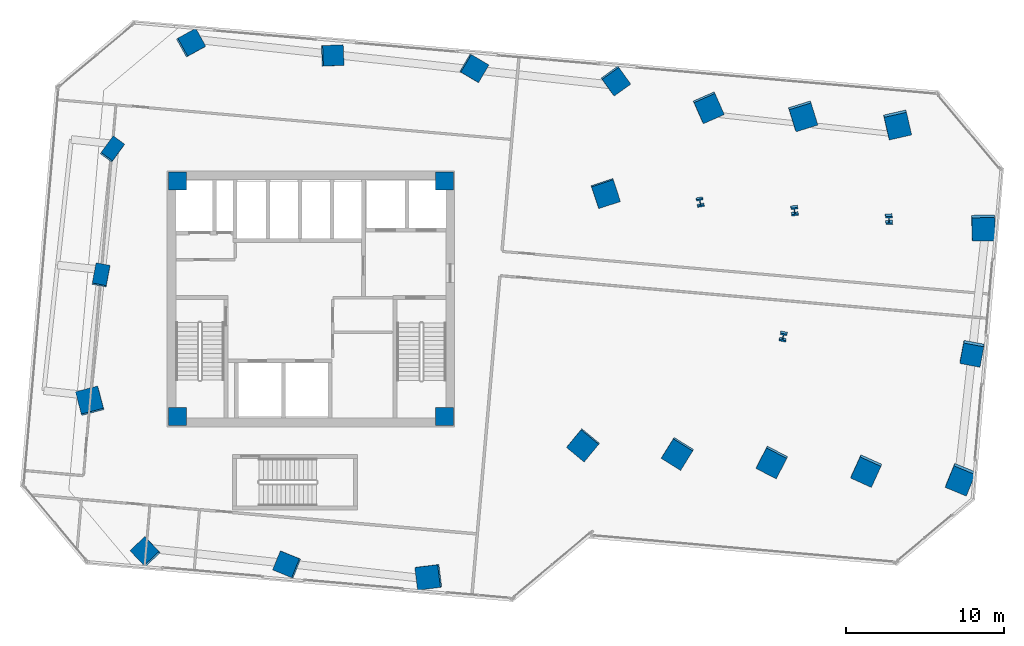
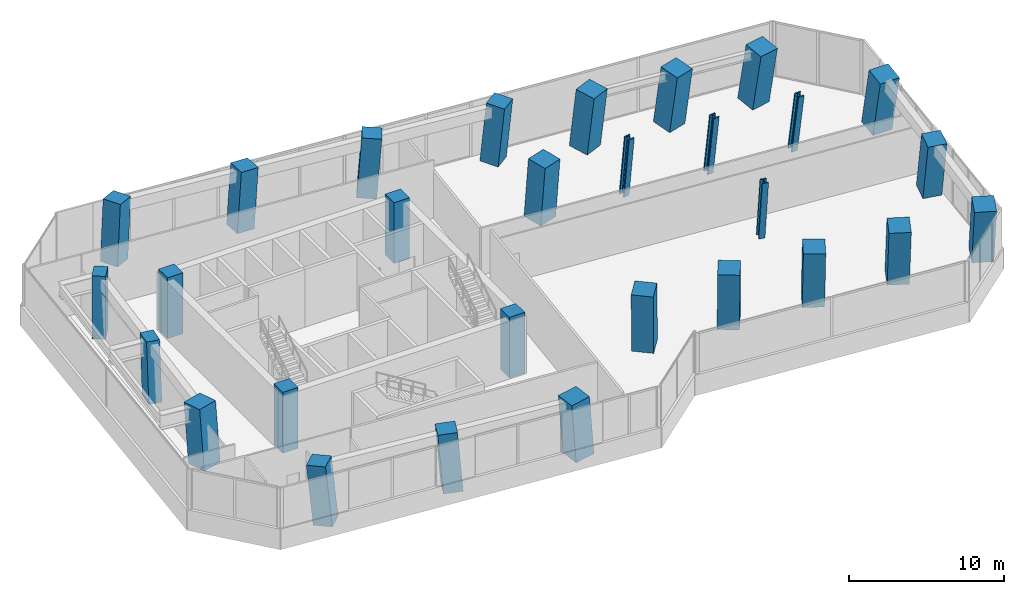
# One storey, part 1 of 24: 29 columns.
"""IFC4 building model written with IfcOpenShell, lengths in metres."""

from ifc_helpers import new_model, si_unit, direction, frame, origin, origin_2d, place, context, subcontext, project, spatial, rectangle, i_section, extrude, clip, halfspace, source, transform, mapped, material, material_profile, profile_set, type_object, element, save


model = new_model("IFC4")

# Units and contexts
model_context = context("Model", 3, precision=1e-05, world=origin(), true_north=direction((0.0, 1.0)))
body_context = subcontext(model_context, "Body", "Model", "MODEL_VIEW")
ifc_project = project(units=[si_unit("LENGTHUNIT", "METRE"), si_unit("AREAUNIT", "SQUARE_METRE"), si_unit("VOLUMEUNIT", "CUBIC_METRE"), si_unit("PLANEANGLEUNIT", "RADIAN"), si_unit("MASSUNIT", "GRAM", prefix="KILO")], contexts=[model_context])

# Site, building, storey
site_placement = place(None, origin())
site = spatial("IfcSite", under=ifc_project, at=site_placement, CompositionType="ELEMENT")
building_placement = place(site_placement, origin())
building = spatial("IfcBuilding", under=site, at=building_placement, Name="Torre Montelarca", CompositionType="ELEMENT")
storey_placement = place(building_placement, frame((0.0, 0.0, 52.0)))
storey = spatial("IfcBuildingStorey", under=building, at=storey_placement, Name="L11", CompositionType="ELEMENT", Elevation=52.0)

# Columns
ifc_material_1 = material(Name="Concrete C55/67", Category="concrete")
ifc_material_profile_1 = material_profile(ifc_material_1, rectangle(XDim=0.89990234375, YDim=1.300048828125, at=origin_2d()), Name="RC1300X900", Category="concrete")
ifc_profile_set_1 = profile_set([ifc_material_profile_1], Name="Concrete C55/67")
column_type_1 = type_object("IfcColumnType", Name="COL-PIL1300-EXT", PredefinedType="PILASTER", material=ifc_profile_set_1)
column_1_placement = place(storey_placement, frame((4.714111328125, 33.468505859375, 0.0), z_axis=(0.007505597669, 0.076019533144, 0.997078079482), x_axis=(0.982835962213, -0.184361453929, 0.006657753778)))
element("IfcColumn", 1, at=column_1_placement, inside=storey, type_object=column_type_1, Name="L11 Column 1W/E", PredefinedType="PILASTER", context=body_context, shape_type="Clipping", body=[
    clip(clip(extrude(rectangle(XDim=0.89990234375, YDim=1.300048828125, at=origin_2d()), origin(), (0.0, 0.0, 1.0), 4.814208984375), halfspace(frame((0.0, 0.0, 0.05322265625), z_axis=(0.0, 0.0, -1.0), x_axis=(1.0, 0.0, 0.0)), False)), halfspace(frame((0.0, 0.0, 4.760986328125), z_axis=(0.0, 0.0, 1.0), x_axis=(1.0, 0.0, 0.0)), False)),
])
column_2_placement = place(storey_placement, frame((5.411376953125, 41.43798828125, 0.0), z_axis=(0.0435342962, 0.072422013119, 0.996423512905), x_axis=(0.809065713617, -0.587672045735, 0.007364625673)))
element("IfcColumn", 2, at=column_2_placement, inside=storey, type_object=column_type_1, Name="L11 Column 1W/F", PredefinedType="PILASTER", context=body_context, shape_type="Clipping", body=[
    clip(clip(extrude(rectangle(XDim=0.89990234375, YDim=1.300048828125, at=origin_2d()), origin(), (0.0, 0.0, 1.0), 4.8173828125), halfspace(frame((0.0, 0.0, 0.05908203125), z_axis=(0.0, 0.0, -1.0), x_axis=(1.0, 0.0, 0.0)), False)), halfspace(frame((0.0, 0.0, 4.75830078125), z_axis=(0.0, 0.0, 1.0), x_axis=(1.0, 0.0, 0.0)), False)),
])
ifc_material_2 = material(Name="Concrete C70/85", Category="concrete")
ifc_material_profile_2 = material_profile(ifc_material_2, rectangle(XDim=1.300048828125, YDim=1.300048828125, at=origin_2d()), Name="RC1300X1300", Category="concrete")
ifc_profile_set_2 = profile_set([ifc_material_profile_2], Name="Concrete C70/85")
column_type_2 = type_object("IfcColumnType", Name="COL-RC1300-EXT", PredefinedType="COLUMN", material=ifc_profile_set_2)
column_3_placement = place(storey_placement, frame((7.548583984375, 15.954833984375, 0.0), z_axis=(-0.071889152053, 0.063940844396, 0.995360998952), x_axis=(0.726884650538, 0.686708374373, 0.008385307305)))
element("IfcColumn", 3, at=column_3_placement, inside=storey, type_object=column_type_2, Name="L11 Column 2/CS", PredefinedType="COLUMN", context=body_context, shape_type="Clipping", body=[
    clip(clip(extrude(rectangle(XDim=1.300048828125, YDim=1.300048828125, at=origin_2d()), origin(), (0.0, 0.0, 1.0), 4.822509765625), halfspace(frame((0.0, 0.0, 0.06884765625), z_axis=(0.0, 0.0, -1.0), x_axis=(1.0, 0.0, 0.0)), False)), halfspace(frame((0.0, 0.0, 4.753662109375), z_axis=(0.0, 0.0, 1.0), x_axis=(1.0, 0.0, 0.0)), False)),
])
column_4_placement = place(storey_placement, frame((10.367919921875, 48.181884765625, 0.0), z_axis=(0.073812496788, 0.049596729139, 0.996038091529), x_axis=(0.483542762655, -0.875286424907, 0.007750552098)))
element("IfcColumn", 4, at=column_4_placement, inside=storey, type_object=column_type_2, Name="L11 Column 2/GN", PredefinedType="COLUMN", context=body_context, shape_type="Clipping", body=[
    clip(clip(extrude(rectangle(XDim=1.300048828125, YDim=1.300048828125, at=origin_2d()), origin(), (0.0, 0.0, 1.0), 4.819091796875), halfspace(frame((0.0, 0.0, 0.0634765625), z_axis=(0.0, 0.0, -1.0), x_axis=(1.0, 0.0, 0.0)), False)), halfspace(frame((0.0, 0.0, 4.755615234375), z_axis=(0.0, 0.0, 1.0), x_axis=(1.0, 0.0, 0.0)), False)),
])
column_5_placement = place(storey_placement, frame((16.51416015625, 15.17041015625, 0.0), z_axis=(-0.076000815922, 0.023423867215, 0.996832582947), x_axis=(0.376438806472, 0.926415555249, 0.006931376043)))
element("IfcColumn", 5, at=column_5_placement, inside=storey, type_object=column_type_2, Name="L11 Column 3/CS", PredefinedType="COLUMN", context=body_context, shape_type="Clipping", body=[
    clip(clip(extrude(rectangle(XDim=1.300048828125, YDim=1.300048828125, at=origin_2d()), origin(), (0.0, 0.0, 1.0), 4.815185546875), halfspace(frame((0.0, 0.0, 0.056884765625), z_axis=(0.0, 0.0, -1.0), x_axis=(1.0, 0.0, 0.0)), False)), halfspace(frame((0.0, 0.0, 4.75830078125), z_axis=(0.0, 0.0, 1.0), x_axis=(1.0, 0.0, 0.0)), False)),
])
column_6_placement = place(storey_placement, frame((19.333740234375, 47.3974609375, 0.0), z_axis=(0.06991362438, 0.009030932612, 0.99751216904), x_axis=(0.041398310106, -0.999123831761, 0.006143999325)))
element("IfcColumn", 6, at=column_6_placement, inside=storey, type_object=column_type_2, Name="L11 Column 3/GN", PredefinedType="COLUMN", context=body_context, shape_type="Clipping", body=[
    clip(clip(extrude(rectangle(XDim=1.300048828125, YDim=1.300048828125, at=origin_2d()), origin(), (0.0, 0.0, 1.0), 4.81201171875), halfspace(frame((0.0, 0.0, 0.050537109375), z_axis=(0.0, 0.0, -1.0), x_axis=(1.0, 0.0, 0.0)), False)), halfspace(frame((0.0, 0.0, 4.761474609375), z_axis=(0.0, 0.0, 1.0), x_axis=(1.0, 0.0, 0.0)), False)),
])
column_7_placement = place(storey_placement, frame((28.299560546875, 46.613037109375, 0.0), z_axis=(0.06589332662, -0.031551692962, 0.997327709521), x_axis=(-0.508628404155, -0.860962602344, 0.006367405439)))
element("IfcColumn", 7, at=column_7_placement, inside=storey, type_object=column_type_2, Name="L11 Column 4/GN", PredefinedType="COLUMN", context=body_context, shape_type="Clipping", body=[
    clip(clip(extrude(rectangle(XDim=1.300048828125, YDim=1.300048828125, at=origin_2d()), origin(), (0.0, 0.0, 1.0), 4.81298828125), halfspace(frame((0.0, 0.0, 0.05224609375), z_axis=(0.0, 0.0, -1.0), x_axis=(1.0, 0.0, 0.0)), False)), halfspace(frame((0.0, 0.0, 4.7607421875), z_axis=(0.0, 0.0, 1.0), x_axis=(1.0, 0.0, 0.0)), False)),
])
column_8_placement = place(storey_placement, frame((37.26513671875, 45.82861328125, 0.0), z_axis=(0.061822361159, -0.071999506607, 0.995486849089), x_axis=(-0.812325724123, -0.583145357305, 0.008271044762)))
element("IfcColumn", 8, at=column_8_placement, inside=storey, type_object=column_type_2, Name="L11 Column 5/GN", PredefinedType="COLUMN", context=body_context, shape_type="Clipping", body=[
    clip(clip(extrude(rectangle(XDim=1.300048828125, YDim=1.300048828125, at=origin_2d()), origin(), (0.0, 0.0, 1.0), 4.82177734375), halfspace(frame((0.0, 0.0, 0.06787109375), z_axis=(0.0, 0.0, -1.0), x_axis=(1.0, 0.0, 0.0)), False)), halfspace(frame((0.0, 0.0, 4.75390625), z_axis=(0.0, 0.0, 1.0), x_axis=(1.0, 0.0, 0.0)), False)),
])
column_9_placement = place(storey_placement, frame((59.853515625, 28.64453125, 0.0), z_axis=(-0.01688396532, -0.171545095717, 0.985031579113), x_axis=(-0.982995282805, 0.183015223344, 0.015023382047)))
element("IfcColumn", 9, at=column_9_placement, inside=storey, type_object=column_type_2, Name="L11 Column 9/E", PredefinedType="COLUMN", context=body_context, shape_type="Clipping", body=[
    clip(clip(extrude(rectangle(XDim=1.300048828125, YDim=1.300048828125, at=origin_2d()), origin(), (0.0, 0.0, 1.0), 4.873046875), halfspace(frame((0.0, 0.0, 0.1240234375), z_axis=(0.0, 0.0, -1.0), x_axis=(1.0, 0.0, 0.0)), False)), halfspace(frame((0.0, 0.0, 4.7490234375), z_axis=(0.0, 0.0, 1.0), x_axis=(1.0, 0.0, 0.0)), False)),
])
ifc_material_profile_3 = material_profile(ifc_material_2, rectangle(XDim=1.449951171875, YDim=1.449951171875, at=origin_2d()), Name="RC1450X1450", Category="concrete")
ifc_profile_set_3 = profile_set([ifc_material_profile_3], Name="Concrete C70/85")
column_type_3 = type_object("IfcColumnType", Name="COL-RC1450", PredefinedType="COLUMN", material=ifc_profile_set_3)
for number, where, z_axis, x_axis, name in (
    (10, (35.24755859375, 22.7666015625, 0.0), (-0.04250232201, -0.061826170084, 0.997181566876), (-0.771691261686, 0.635963708591, 0.006538959538), "L11 Column 5/D"),
    (11, (36.64208984375, 38.705810546875, 0.0), (0.029670337243, -0.068977194275, 0.997176924), (-0.949466178775, -0.313801126567, 0.006544335611), "L11 Column 5/F"),
):
    element("IfcColumn", number, at=place(storey_placement, frame(where, z_axis=z_axis, x_axis=x_axis)), inside=storey, type_object=column_type_3, Name=name, PredefinedType="COLUMN", context=body_context, shape_type="Clipping", body=[
        clip(clip(extrude(rectangle(XDim=1.449951171875, YDim=1.449951171875, at=origin_2d()), origin(), (0.0, 0.0, 1.0), 4.813720703125), halfspace(frame((0.0, 0.0, 0.059814453125), z_axis=(0.0, 0.0, -1.0), x_axis=(1.0, 0.0, 0.0)), False)), halfspace(frame((0.0, 0.0, 4.75390625), z_axis=(0.0, 0.0, 1.0), x_axis=(1.0, 0.0, 0.0)), False)),
    ])
column_10_placement = place(storey_placement, frame((41.224609375, 22.24365234375, 0.0), z_axis=(-0.045093362177, -0.088668429331, 0.995039948106), x_axis=(-0.848649441646, 0.528884635569, 0.008669916536)))
element("IfcColumn", 12, at=column_10_placement, inside=storey, type_object=column_type_3, Name="L11 Column 6/D", PredefinedType="COLUMN", context=body_context, shape_type="Clipping", body=[
    clip(clip(extrude(rectangle(XDim=1.449951171875, YDim=1.449951171875, at=origin_2d()), origin(), (0.0, 0.0, 1.0), 4.823974609375), halfspace(frame((0.0, 0.0, 0.079345703125), z_axis=(0.0, 0.0, -1.0), x_axis=(1.0, 0.0, 0.0)), False)), halfspace(frame((0.0, 0.0, 4.74462890625), z_axis=(0.0, 0.0, 1.0), x_axis=(1.0, 0.0, 0.0)), False)),
])
column_11_placement = place(storey_placement, frame((43.14208984375, 44.159912109375, 0.0), z_axis=(0.053877269241, -0.098303272676, 0.993696989248), x_axis=(-0.915216687405, -0.402843592449, 0.009770113497)))
element("IfcColumn", 13, at=column_11_placement, inside=storey, type_object=column_type_3, Name="L11 Column 6/G", PredefinedType="COLUMN", context=body_context, shape_type="Clipping", body=[
    clip(clip(extrude(rectangle(XDim=1.449951171875, YDim=1.449951171875, at=origin_2d()), origin(), (0.0, 0.0, 1.0), 4.83056640625), halfspace(frame((0.0, 0.0, 0.08935546875), z_axis=(0.0, 0.0, -1.0), x_axis=(1.0, 0.0, 0.0)), False)), halfspace(frame((0.0, 0.0, 4.7412109375), z_axis=(0.0, 0.0, 1.0), x_axis=(1.0, 0.0, 0.0)), False)),
])
column_12_placement = place(storey_placement, frame((47.201904296875, 21.720703125, 0.0), z_axis=(-0.047588043547, -0.115361895597, 0.992182952462), x_axis=(-0.88794115684, 0.459828454583, 0.010876320445)))
element("IfcColumn", 14, at=column_12_placement, inside=storey, type_object=column_type_3, Name="L11 Column 7/D", PredefinedType="COLUMN", context=body_context, shape_type="Clipping", body=[
    clip(clip(extrude(rectangle(XDim=1.449951171875, YDim=1.449951171875, at=origin_2d()), origin(), (0.0, 0.0, 1.0), 4.837890625), halfspace(frame((0.0, 0.0, 0.099609375), z_axis=(0.0, 0.0, -1.0), x_axis=(1.0, 0.0, 0.0)), False)), halfspace(frame((0.0, 0.0, 4.73828125), z_axis=(0.0, 0.0, 1.0), x_axis=(1.0, 0.0, 0.0)), False)),
])
column_13_placement = place(storey_placement, frame((49.119384765625, 43.63720703125, 0.0), z_axis=(0.051051601458, -0.124983190143, 0.990844557017), x_axis=(-0.954881453991, -0.296754029116, 0.011766691454)))
element("IfcColumn", 15, at=column_13_placement, inside=storey, type_object=column_type_3, Name="L11 Column 7/G", PredefinedType="COLUMN", context=body_context, shape_type="Clipping", body=[
    clip(clip(extrude(rectangle(XDim=1.449951171875, YDim=1.449951171875, at=origin_2d()), origin(), (0.0, 0.0, 1.0), 4.844482421875), halfspace(frame((0.0, 0.0, 0.107666015625), z_axis=(0.0, 0.0, -1.0), x_axis=(1.0, 0.0, 0.0)), False)), halfspace(frame((0.0, 0.0, 4.73681640625), z_axis=(0.0, 0.0, 1.0), x_axis=(1.0, 0.0, 0.0)), False)),
])
column_14_placement = place(storey_placement, frame((53.17919921875, 21.197998046875, 0.0), z_axis=(-0.050132710285, -0.14179964193, 0.98862509219), x_axis=(-0.910502595793, 0.413295530458, 0.013108301098)))
element("IfcColumn", 16, at=column_14_placement, inside=storey, type_object=column_type_3, Name="L11 Column 8/D", PredefinedType="COLUMN", context=body_context, shape_type="Clipping", body=[
    clip(clip(extrude(rectangle(XDim=1.449951171875, YDim=1.449951171875, at=origin_2d()), origin(), (0.0, 0.0, 1.0), 4.855224609375), halfspace(frame((0.0, 0.0, 0.1201171875), z_axis=(0.0, 0.0, -1.0), x_axis=(1.0, 0.0, 0.0)), False)), halfspace(frame((0.0, 0.0, 4.735107421875), z_axis=(0.0, 0.0, 1.0), x_axis=(1.0, 0.0, 0.0)), False)),
])
column_15_placement = place(storey_placement, frame((55.096435546875, 43.1142578125, 0.0), z_axis=(0.048258163497, -0.151302649966, 0.987308795549), x_axis=(-0.975236227895, -0.220732225493, 0.013841402757)))
element("IfcColumn", 17, at=column_15_placement, inside=storey, type_object=column_type_3, Name="L11 Column 8/G", PredefinedType="COLUMN", context=body_context, shape_type="Clipping", body=[
    clip(clip(extrude(rectangle(XDim=1.449951171875, YDim=1.449951171875, at=origin_2d()), origin(), (0.0, 0.0, 1.0), 4.86181640625), halfspace(frame((0.0, 0.0, 0.127197265625), z_axis=(0.0, 0.0, -1.0), x_axis=(1.0, 0.0, 0.0)), False)), halfspace(frame((0.0, 0.0, 4.734619140625), z_axis=(0.0, 0.0, 1.0), x_axis=(1.0, 0.0, 0.0)), False)),
])
ifc_material_profile_4 = material_profile(ifc_material_2, rectangle(XDim=1.449951171875, YDim=1.449951171875, at=origin_2d()), Name="RC1450X1450", Category="concrete")
ifc_profile_set_4 = profile_set([ifc_material_profile_4], Name="Concrete C70/85")
column_type_4 = type_object("IfcColumnType", Name="COL-RC1450-EXT", PredefinedType="COLUMN", material=ifc_profile_set_4)
column_16_placement = place(storey_placement, frame((25.47998046875, 14.385986328125, 0.0), z_axis=(-0.079991404188, -0.017133773521, 0.996648287542), x_axis=(-0.123710418219, 0.992292747991, 0.007129846339)))
element("IfcColumn", 18, at=column_16_placement, inside=storey, type_object=column_type_4, Name="L11 Perimeter Mega Column 4/CS", PredefinedType="COLUMN", context=body_context, shape_type="Clipping", body=[
    clip(clip(extrude(rectangle(XDim=1.449951171875, YDim=1.449951171875, at=origin_2d()), origin(), (0.0, 0.0, 1.0), 4.816162109375), halfspace(frame((0.0, 0.0, 0.065185546875), z_axis=(0.0, 0.0, -1.0), x_axis=(1.0, 0.0, 0.0)), False)), halfspace(frame((0.0, 0.0, 4.7509765625), z_axis=(0.0, 0.0, 1.0), x_axis=(1.0, 0.0, 0.0)), False)),
])
column_17_placement = place(storey_placement, frame((59.15625, 20.6748046875, 0.0), z_axis=(-0.052522404047, -0.167881430668, 0.984407040969), x_axis=(-0.925134544634, 0.379329710363, 0.015331182622)))
element("IfcColumn", 19, at=column_17_placement, inside=storey, type_object=column_type_4, Name="L11 Perimeter Mega Column 9/D", PredefinedType="COLUMN", context=body_context, shape_type="Clipping", body=[
    clip(clip(extrude(rectangle(XDim=1.449951171875, YDim=1.449951171875, at=origin_2d()), origin(), (0.0, 0.0, 1.0), 4.8759765625), halfspace(frame((0.0, 0.0, 0.14111328125), z_axis=(0.0, 0.0, -1.0), x_axis=(1.0, 0.0, 0.0)), False)), halfspace(frame((0.0, 0.0, 4.73486328125), z_axis=(0.0, 0.0, 1.0), x_axis=(1.0, 0.0, 0.0)), False)),
])
column_18_placement = place(storey_placement, frame((60.55078125, 36.614013671875, 0.0), z_axis=(0.018725699159, -0.174940087863, 0.984400992406), x_axis=(-0.999667743426, -0.020718762874, 0.015334132473)))
element("IfcColumn", 20, at=column_18_placement, inside=storey, type_object=column_type_4, Name="L11 Perimeter Mega Column 9/F", PredefinedType="COLUMN", context=body_context, shape_type="Clipping", body=[
    clip(clip(extrude(rectangle(XDim=1.449951171875, YDim=1.449951171875, at=origin_2d()), origin(), (0.0, 0.0, 1.0), 4.876220703125), halfspace(frame((0.0, 0.0, 0.14111328125), z_axis=(0.0, 0.0, -1.0), x_axis=(1.0, 0.0, 0.0)), False)), halfspace(frame((0.0, 0.0, 4.735107421875), z_axis=(0.0, 0.0, 1.0), x_axis=(1.0, 0.0, 0.0)), False)),
])
column_19_placement = place(storey_placement, frame((4.016845703125, 25.4990234375, 0.0), z_axis=(-0.028583638075, 0.079517248474, 0.996423596082), x_axis=(0.966843928128, 0.255261791481, 0.007364540188)))
element("IfcColumn", 21, at=column_19_placement, inside=storey, type_object=column_type_4, Name="L11 Perimeter Mega Column 1W/D", PredefinedType="COLUMN", context=body_context, shape_type="Clipping", body=[
    clip(clip(extrude(rectangle(XDim=1.449951171875, YDim=1.449951171875, at=origin_2d()), origin(), (0.0, 0.0, 1.0), 4.8173828125), halfspace(frame((0.0, 0.0, 0.0673828125), z_axis=(0.0, 0.0, -1.0), x_axis=(1.0, 0.0, 0.0)), False)), halfspace(frame((0.0, 0.0, 4.75), z_axis=(0.0, 0.0, 1.0), x_axis=(1.0, 0.0, 0.0)), False)),
])
ifc_material_3 = material(Name="Steel ASTM A992 Grade 50", Category="steel")
ifc_material_profile_5 = material_profile(ifc_material_3, i_section(OverallWidth=0.431884765625, OverallDepth=0.498046875, WebThickness=0.0556640625, FlangeThickness=0.0888671875, FilletRadius=0.014892578125, at=origin_2d()), Name="W360X744", Category="steel")
ifc_profile_set_5 = profile_set([ifc_material_profile_5], Name="Steel ASTM A992 Grade 50")
column_type_5 = type_object("IfcColumnType", Name="COL-W360X744", PredefinedType="COLUMN", material=ifc_profile_set_5)
column_20_placement = place(storey_placement, frame((42.619140625, 38.182861328125, 0.0), z_axis=(0.026924325259, -0.09580403706, 0.995036013013), x_axis=(-0.982504678584, -0.186035828863, 0.008673346471)))
element("IfcColumn", 22, at=column_20_placement, inside=storey, type_object=column_type_5, Name="L11 Column 6/F", PredefinedType="COLUMN", context=body_context, shape_type="Clipping", body=[
    clip(clip(extrude(i_section(OverallWidth=0.431884765625, OverallDepth=0.498046875, WebThickness=0.0556640625, FlangeThickness=0.0888671875, FilletRadius=0.014892578125, at=origin_2d()), origin(), (0.0, 0.0, 1.0), 4.823974609375), halfspace(frame((0.0, 0.0, 0.02734375), z_axis=(0.0, 0.0, -1.0), x_axis=(1.0, 0.0, 0.0)), False)), halfspace(frame((0.0, 0.0, 4.796630859375), z_axis=(0.0, 0.0, 1.0), x_axis=(1.0, 0.0, 0.0)), False)),
])
column_21_placement = place(storey_placement, frame((47.899169921875, 29.6904296875, 0.0), z_axis=(-0.011715316222, -0.119021553168, 0.992822552749), x_axis=(-0.982927442212, 0.183698103187, 0.010423542171)))
element("IfcColumn", 23, at=column_21_placement, inside=storey, type_object=column_type_5, Name="L11 Column 7/E", PredefinedType="COLUMN", context=body_context, shape_type="Clipping", body=[
    clip(clip(extrude(i_section(OverallWidth=0.431884765625, OverallDepth=0.498046875, WebThickness=0.0556640625, FlangeThickness=0.0888671875, FilletRadius=0.014892578125, at=origin_2d()), origin(), (0.0, 0.0, 1.0), 4.834716796875), halfspace(frame((0.0, 0.0, 0.032958984375), z_axis=(0.0, 0.0, -1.0), x_axis=(1.0, 0.0, 0.0)), False)), halfspace(frame((0.0, 0.0, 4.8017578125), z_axis=(0.0, 0.0, 1.0), x_axis=(1.0, 0.0, 0.0)), False)),
])
column_22_placement = place(storey_placement, frame((48.596435546875, 37.659912109375, 0.0), z_axis=(0.02417236025, -0.122476656215, 0.992176983044), x_axis=(-0.99408551694, -0.108053693523, 0.010880456154)))
element("IfcColumn", 24, at=column_22_placement, inside=storey, type_object=column_type_5, Name="L11 Column 7/F", PredefinedType="COLUMN", context=body_context, shape_type="Clipping", body=[
    clip(clip(extrude(i_section(OverallWidth=0.431884765625, OverallDepth=0.498046875, WebThickness=0.0556640625, FlangeThickness=0.0888671875, FilletRadius=0.014892578125, at=origin_2d()), origin(), (0.0, 0.0, 1.0), 4.837890625), halfspace(frame((0.0, 0.0, 0.034423828125), z_axis=(0.0, 0.0, -1.0), x_axis=(1.0, 0.0, 0.0)), False)), halfspace(frame((0.0, 0.0, 4.803466796875), z_axis=(0.0, 0.0, 1.0), x_axis=(1.0, 0.0, 0.0)), False)),
])
column_23_placement = place(storey_placement, frame((54.573486328125, 37.136962890625, 0.0), z_axis=(0.021471147851, -0.148839807117, 0.988628191803), x_axis=(-0.998290790229, -0.056953640273, 0.013106525213)))
element("IfcColumn", 25, at=column_23_placement, inside=storey, type_object=column_type_5, Name="L11 Column 8/F", PredefinedType="COLUMN", context=body_context, shape_type="Clipping", body=[
    clip(clip(extrude(i_section(OverallWidth=0.431884765625, OverallDepth=0.498046875, WebThickness=0.0556640625, FlangeThickness=0.0888671875, FilletRadius=0.014892578125, at=origin_2d()), origin(), (0.0, 0.0, 1.0), 4.855224609375), halfspace(frame((0.0, 0.0, 0.041259765625), z_axis=(0.0, 0.0, -1.0), x_axis=(1.0, 0.0, 0.0)), False)), halfspace(frame((0.0, 0.0, 4.81396484375), z_axis=(0.0, 0.0, 1.0), x_axis=(1.0, 0.0, 0.0)), False)),
])
ifc_material_profile_6 = material_profile(ifc_material_1, rectangle(XDim=1.14990234375, YDim=1.14990234375, at=origin_2d()), Name="RC1150X1150", Category="concrete")
ifc_profile_set_6 = profile_set([ifc_material_profile_6], Name="Concrete C55/67")
column_type_6 = type_object("IfcColumnType", Name="COL-RC1150", PredefinedType="COLUMN", material=ifc_profile_set_6)
shared_shape = source(origin(), body_context, "Body", "SweptSolid", [
    extrude(rectangle(XDim=1.14990234375, YDim=1.14990234375, at=origin_2d()), origin(), (0.0, 0.0, 1.0), 4.798583984375),
])
for number, where, z_axis, x_axis, name in (
    (26, (9.550048828125, 24.550048828125, 0.000732421875), (0.0, 0.0, 1.0), (1.0, 0.0, 0.0), "L11 Plumb Core Corner Column 2D"),
    (27, (26.449951171875, 24.550048828125, 0.000732421875), (0.0, 0.0, 1.0), (1.0, 0.0, 0.0), "L11 Plumb Core Corner Column 4D"),
    (28, (9.550048828125, 39.449951171875, 0.000732421875), (0.0, 0.0, 1.0), (1.0, 0.0, 0.0), "L11 Plumb Core Corner Column 2F"),
    (29, (26.449951171875, 39.449951171875, 0.000732421875), (0.0, 0.0, 1.0), (1.0, 0.0, 0.0), "L11 Plumb Core Corner Column 4F"),
):
    element("IfcColumn", number, at=place(storey_placement, frame(where, z_axis=z_axis, x_axis=x_axis)), inside=storey, type_object=column_type_6, Name=name, PredefinedType="COLUMN", context=body_context, shape_type="MappedRepresentation", body=[
        mapped(shared_shape, transform((0.0, 0.0, 0.0), scale=1.0)),
    ])

save(model, "model.ifc")
